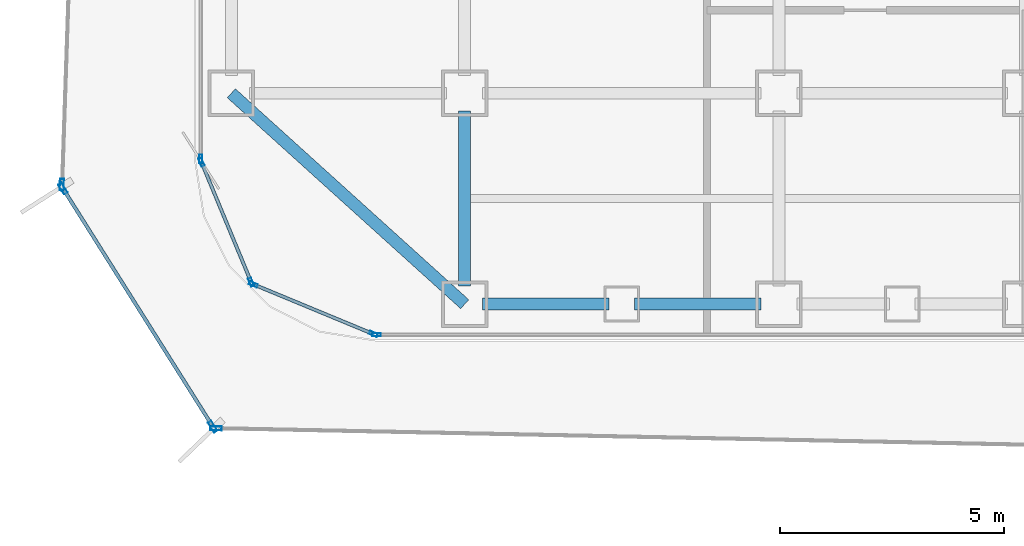
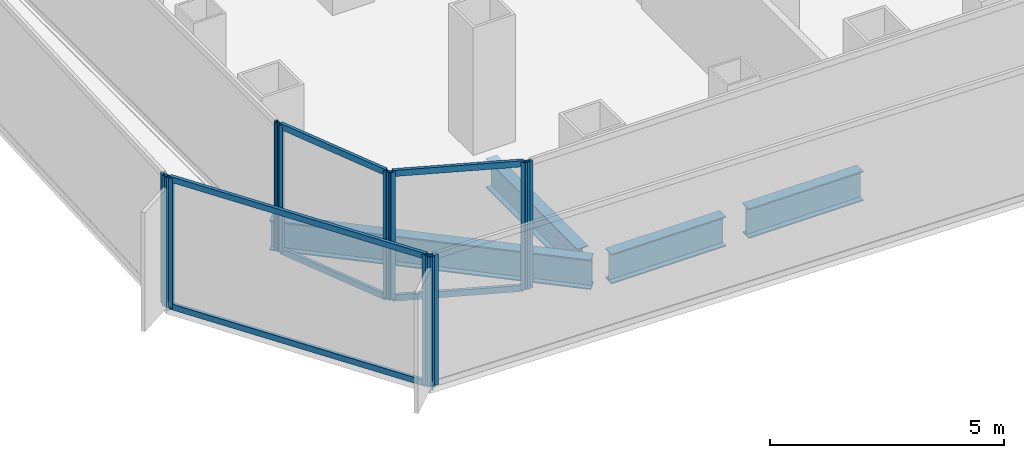
# One storey, part 2 of 21: 16 members, 4 beams, 7 elements without a shape of their own.
"""IFC4 building model written with IfcOpenShell, lengths in metres."""

from ifc_helpers import new_model, si_unit, direction, frame, origin, origin_2d, place, context, subcontext, project, spatial, hollow_rectangle, i_section, extrude, source, transform, mapped, material, layer, layer_set, material_profile, profile_set, type_object, element, aggregate, save


model = new_model("IFC4")

# Units and contexts
model_context = context("Model", 3, precision=1e-05, world=origin(), true_north=direction((0.0, 1.0)))
body_context = subcontext(model_context, "Body", "Model", "MODEL_VIEW")
ifc_project = project(units=[si_unit("LENGTHUNIT", "METRE"), si_unit("AREAUNIT", "SQUARE_METRE"), si_unit("VOLUMEUNIT", "CUBIC_METRE"), si_unit("PLANEANGLEUNIT", "RADIAN"), si_unit("MASSUNIT", "GRAM", prefix="KILO")], contexts=[model_context])

# Site, building, storey
site_placement = place(None, origin())
site = spatial("IfcSite", under=ifc_project, at=site_placement, CompositionType="ELEMENT")
building_placement = place(site_placement, origin())
building = spatial("IfcBuilding", under=site, at=building_placement, Name="Kolveth Station Tower", CompositionType="ELEMENT")
storey_placement = place(building_placement, frame((0.0, 0.0, 29.699951171875)))
storey = spatial("IfcBuildingStorey", under=building, at=storey_placement, Name="L07", CompositionType="ELEMENT", Elevation=29.699951171875)

# Beams
ifc_material_1 = material(Name="Steel S355", Category="steel")
ifc_material_profile_1 = material_profile(ifc_material_1, i_section(OverallWidth=0.26904296875, OverallDepth=0.77490234375, WebThickness=0.01708984375, FlangeThickness=0.0283203125, at=origin_2d()), Name="W760x220")
ifc_profile_set_1 = profile_set([ifc_material_profile_1], Name="Steel S355")
beam_type_1 = type_object("IfcBeamType", Name="Beam_SP1", PredefinedType="SPANDREL", material=ifc_profile_set_1)
shared_shape_1 = source(origin(), body_context, "Body", "SweptSolid", [
    extrude(i_section(OverallWidth=0.26904296875, OverallDepth=0.77490234375, WebThickness=0.01708984375, FlangeThickness=0.0283203125, at=origin_2d()), origin(), (0.0, 0.0, 1.0), 7.00927734375),
])
beam_1_placement = place(storey_placement, frame((0.800048828125, 5.5, -0.66748046875), z_axis=(0.741874009795, -0.670539300557, 0.0), x_axis=(0.670539300557, 0.741874009795, 0.0)))
element("IfcBeam", 1, at=beam_1_placement, inside=storey, type_object=beam_type_1, Name="L07 Corner Edge Girder BM-L07-CNR-SW", PredefinedType="SPANDREL", context=body_context, shape_type="MappedRepresentation", body=[
    mapped(shared_shape_1, transform((0.0, 0.0, 0.0), x_axis=(1.0, 0.0, 0.0), y_axis=(0.0, 1.0, 0.0), z_axis=(0.0, 0.0, 1.0), scale=1.0)),
])
shared_shape_2 = source(origin(), body_context, "Body", "SweptSolid", [
    extrude(i_section(OverallWidth=0.26904296875, OverallDepth=0.77490234375, WebThickness=0.01708984375, FlangeThickness=0.0283203125, at=origin_2d()), origin(), (0.0, 0.0, 1.0), 2.820068359375),
])
for number, where, z_axis, x_axis, name in (
    (2, (6.39990234375, 0.800048828125, -0.66748046875), (1.0, 0.0, 0.0), (0.0, 1.0, 0.0), "L07 Perimeter Spandrel BM-L07-PS-1"),
    (3, (9.780029296875, 0.800048828125, -0.66748046875), (1.0, 0.0, 0.0), (0.0, 1.0, 0.0), "L07 Perimeter Spandrel BM-L07-PS-2"),
):
    element("IfcBeam", number, at=place(storey_placement, frame(where, z_axis=z_axis, x_axis=x_axis)), inside=storey, type_object=beam_type_1, Name=name, PredefinedType="SPANDREL", context=body_context, shape_type="MappedRepresentation", body=[
        mapped(shared_shape_2, transform((0.0, 0.0, 0.0), x_axis=(1.0, 0.0, 0.0), y_axis=(0.0, 1.0, 0.0), z_axis=(0.0, 0.0, 1.0), scale=1.0)),
    ])
ifc_material_profile_2 = material_profile(ifc_material_1, i_section(OverallWidth=0.26708984375, OverallDepth=0.76611328125, WebThickness=0.014892578125, FlangeThickness=0.023681640625, at=origin_2d()), Name="W760x185")
ifc_profile_set_2 = profile_set([ifc_material_profile_2], Name="Steel S355")
beam_type_2 = type_object("IfcBeamType", Name="Beam_B3", PredefinedType="BEAM", material=ifc_profile_set_2)
shared_shape_3 = source(origin(), body_context, "Body", "SweptSolid", [
    extrude(i_section(OverallWidth=0.26708984375, OverallDepth=0.76611328125, WebThickness=0.014892578125, FlangeThickness=0.023681640625, at=origin_2d()), origin(), (0.0, 0.0, 1.0), 3.900146484375),
])
beam_2_placement = place(storey_placement, frame((6.0, 1.199951171875, -0.662841796875), z_axis=(0.0, 1.0, 0.0), x_axis=(-1.0, 0.0, 0.0)))
element("IfcBeam", 4, at=beam_2_placement, inside=storey, type_object=beam_type_2, Name="L07 Primary Girder BM-L07-GX60-1", PredefinedType="BEAM", context=body_context, shape_type="MappedRepresentation", body=[
    mapped(shared_shape_3, transform((0.0, 0.0, 0.0), x_axis=(1.0, 0.0, 0.0), y_axis=(0.0, 1.0, 0.0), z_axis=(0.0, 0.0, 1.0), scale=1.0)),
])

# Curtain wall, member
ifc_material_2 = material(Name="Aluminium 6063-T6 and low-E dark glass", Category="aluminium")
ifc_layer_1 = layer(ifc_material_2, 0.179931640625)
ifc_layer_set_1 = layer_set([ifc_layer_1], Name="Aluminium 6063-T6 and low-E dark glass")
curtain_wall_type_1 = type_object("IfcCurtainWallType", Name="CurtainWall_CW-Z1", PredefinedType="NOTDEFINED", material=ifc_layer_set_1)
curtain_wall_1_placement = place(storey_placement, origin())
curtain_wall_1 = element("IfcCurtainWall", 5, at=curtain_wall_1_placement, inside=storey, type_object=curtain_wall_type_1, Name="L07 Inner Thermal Curtain Wall 9", PredefinedType="NOTDEFINED")
ifc_material_3 = material(Name="Black anodized aluminium 6063-T6", Category="aluminium")
ifc_material_profile_3 = material_profile(ifc_material_3, hollow_rectangle(XDim=0.074951171875, YDim=0.18994140625, WallThickness=0.0048828125, at=origin_2d()), Name="ALU-75x190x5")
ifc_profile_set_3 = profile_set([ifc_material_profile_3], Name="Black anodized aluminium 6063-T6")
member_type_1 = type_object("IfcMemberType", Name="Mullion_ML1", PredefinedType="MULLION", material=ifc_profile_set_3)
shared_shape_4 = source(origin(), body_context, "Body", "SweptSolid", [
    extrude(hollow_rectangle(XDim=0.074951171875, YDim=0.18994140625, WallThickness=0.0048828125, at=origin_2d()), origin(), (0.0, 0.0, 1.0), 3.320068359375),
])
member_1_placement = place(storey_placement, frame((0.1201171875, 4.03759765625, 0.0), z_axis=(0.0, 0.0, 1.0), x_axis=(1.0, 0.0, 0.0)))
member_1 = element("IfcMember", 6, at=member_1_placement, type_object=member_type_1, Name="CW-Z1 mullion 2", PredefinedType="MULLION", context=body_context, shape_type="MappedRepresentation", body=[
    mapped(shared_shape_4, transform((0.0, 0.0, 0.0), x_axis=(1.0, 0.0, 0.0), y_axis=(0.0, 1.0, 0.0), z_axis=(0.0, 0.0, 1.0), scale=1.0)),
])
aggregate(curtain_wall_1, [member_1])

# Curtain wall, members
curtain_wall_2_placement = place(storey_placement, origin())
curtain_wall_2 = element("IfcCurtainWall", 7, at=curtain_wall_2_placement, inside=storey, type_object=curtain_wall_type_1, Name="L07 Inner Thermal Curtain Wall 10", PredefinedType="NOTDEFINED")
member_2_placement = place(storey_placement, frame((0.13427734375, 3.96533203125, 0.0), z_axis=(0.0, 0.0, 1.0), x_axis=(0.923883857728, 0.382672990201, 0.0)))
member_2 = element("IfcMember", 8, at=member_2_placement, type_object=member_type_1, Name="CW-Z1 mullion 1", PredefinedType="MULLION", context=body_context, shape_type="MappedRepresentation", body=[
    mapped(shared_shape_4, transform((0.0, 0.0, 0.0), x_axis=(1.0, 0.0, 0.0), y_axis=(0.0, 1.0, 0.0), z_axis=(0.0, 0.0, 1.0), scale=1.0)),
])
member_3_placement = place(storey_placement, frame((1.241943359375, 1.291015625, 0.0), z_axis=(0.0, 0.0, 1.0), x_axis=(0.923883857728, 0.382672990201, 0.0)))
member_3 = element("IfcMember", 9, at=member_3_placement, type_object=member_type_1, Name="CW-Z1 mullion 2", PredefinedType="MULLION", context=body_context, shape_type="MappedRepresentation", body=[
    mapped(shared_shape_4, transform((0.0, 0.0, 0.0), x_axis=(1.0, 0.0, 0.0), y_axis=(0.0, 1.0, 0.0), z_axis=(0.0, 0.0, 1.0), scale=1.0)),
])

curtain_wall_3_placement = place(storey_placement, origin())
curtain_wall_3 = element("IfcCurtainWall", 10, at=curtain_wall_3_placement, inside=storey, type_object=curtain_wall_type_1, Name="L07 Inner Thermal Curtain Wall 11", PredefinedType="NOTDEFINED")
member_4_placement = place(storey_placement, frame((1.291015625, 1.241943359375, 0.0), z_axis=(0.0, 0.0, 1.0), x_axis=(0.382672990201, 0.923883857728, 0.0)))
member_4 = element("IfcMember", 11, at=member_4_placement, type_object=member_type_1, Name="CW-Z1 mullion 1", PredefinedType="MULLION", context=body_context, shape_type="MappedRepresentation", body=[
    mapped(shared_shape_4, transform((0.0, 0.0, 0.0), x_axis=(1.0, 0.0, 0.0), y_axis=(0.0, 1.0, 0.0), z_axis=(0.0, 0.0, 1.0), scale=1.0)),
])
member_5_placement = place(storey_placement, frame((3.96533203125, 0.13427734375, 0.0), z_axis=(0.0, 0.0, 1.0), x_axis=(0.382672990201, 0.923883857728, 0.0)))
member_5 = element("IfcMember", 12, at=member_5_placement, type_object=member_type_1, Name="CW-Z1 mullion 2", PredefinedType="MULLION", context=body_context, shape_type="MappedRepresentation", body=[
    mapped(shared_shape_4, transform((0.0, 0.0, 0.0), x_axis=(1.0, 0.0, 0.0), y_axis=(0.0, 1.0, 0.0), z_axis=(0.0, 0.0, 1.0), scale=1.0)),
])

# Curtain wall, member
curtain_wall_4_placement = place(storey_placement, origin())
curtain_wall_4 = element("IfcCurtainWall", 13, at=curtain_wall_4_placement, inside=storey, type_object=curtain_wall_type_1, Name="L07 Inner Thermal Curtain Wall 12", PredefinedType="NOTDEFINED")
member_6_placement = place(storey_placement, frame((4.03759765625, 0.1201171875, 0.0), z_axis=(0.0, 0.0, 1.0), x_axis=(0.0, 1.0, 0.0)))
member_6 = element("IfcMember", 14, at=member_6_placement, type_object=member_type_1, Name="CW-Z1 mullion 1", PredefinedType="MULLION", context=body_context, shape_type="MappedRepresentation", body=[
    mapped(shared_shape_4, transform((0.0, 0.0, 0.0), x_axis=(1.0, 0.0, 0.0), y_axis=(0.0, 1.0, 0.0), z_axis=(0.0, 0.0, 1.0), scale=1.0)),
])
aggregate(curtain_wall_4, [member_6])

# Member
ifc_material_profile_4 = material_profile(ifc_material_3, hollow_rectangle(XDim=0.074951171875, YDim=0.159912109375, WallThickness=0.0048828125, at=origin_2d()), Name="ALU-75x160x5")
ifc_profile_set_4 = profile_set([ifc_material_profile_4], Name="Black anodized aluminium 6063-T6")
member_type_2 = type_object("IfcMemberType", Name="Transom_TR1", PredefinedType="USERDEFINED", material=ifc_profile_set_4)
shared_shape_5 = source(origin(), body_context, "Body", "SweptSolid", [
    extrude(hollow_rectangle(XDim=0.074951171875, YDim=0.159912109375, WallThickness=0.0048828125, at=origin_2d()), origin(), (0.0, 0.0, 1.0), 2.819580078125),
])
member_7_placement = place(storey_placement, frame((0.148681640625, 3.9306640625, 0.03759765625), z_axis=(0.382708655389, -0.923869084389, 0.0), x_axis=(0.923869084389, 0.382708655389, 0.0)))
member_7 = element("IfcMember", 15, at=member_7_placement, type_object=member_type_2, Name="CW-Z1 transom 1.1", ObjectType="TRANSOM", PredefinedType="USERDEFINED", context=body_context, shape_type="MappedRepresentation", body=[
    mapped(shared_shape_5, transform((0.0, 0.0, 0.0), x_axis=(1.0, 0.0, 0.0), y_axis=(0.0, 1.0, 0.0), z_axis=(0.0, 0.0, 1.0), scale=1.0)),
])

member_8_placement = place(storey_placement, frame((0.148681640625, 3.9306640625, 3.282470703125), z_axis=(0.382708655389, -0.923869084389, 0.0), x_axis=(0.923869084389, 0.382708655389, 0.0)))
member_8 = element("IfcMember", 16, at=member_8_placement, type_object=member_type_2, Name="CW-Z1 transom 1.2", ObjectType="TRANSOM", PredefinedType="USERDEFINED", context=body_context, shape_type="MappedRepresentation", body=[
    mapped(shared_shape_5, transform((0.0, 0.0, 0.0), x_axis=(1.0, 0.0, 0.0), y_axis=(0.0, 1.0, 0.0), z_axis=(0.0, 0.0, 1.0), scale=1.0)),
])

aggregate(curtain_wall_2, [member_2, member_3, member_7, member_8])

member_9_placement = place(storey_placement, frame((1.32568359375, 1.227783203125, 0.03759765625), z_axis=(0.923869084389, -0.382708655389, 0.0), x_axis=(0.382708655389, 0.923869084389, 0.0)))
member_9 = element("IfcMember", 17, at=member_9_placement, type_object=member_type_2, Name="CW-Z1 transom 1.1", ObjectType="TRANSOM", PredefinedType="USERDEFINED", context=body_context, shape_type="MappedRepresentation", body=[
    mapped(shared_shape_5, transform((0.0, 0.0, 0.0), x_axis=(1.0, 0.0, 0.0), y_axis=(0.0, 1.0, 0.0), z_axis=(0.0, 0.0, 1.0), scale=1.0)),
])

member_10_placement = place(storey_placement, frame((1.32568359375, 1.227783203125, 3.282470703125), z_axis=(0.923869084389, -0.382708655389, 0.0), x_axis=(0.382708655389, 0.923869084389, 0.0)))
member_10 = element("IfcMember", 18, at=member_10_placement, type_object=member_type_2, Name="CW-Z1 transom 1.2", ObjectType="TRANSOM", PredefinedType="USERDEFINED", context=body_context, shape_type="MappedRepresentation", body=[
    mapped(shared_shape_5, transform((0.0, 0.0, 0.0), x_axis=(1.0, 0.0, 0.0), y_axis=(0.0, 1.0, 0.0), z_axis=(0.0, 0.0, 1.0), scale=1.0)),
])

aggregate(curtain_wall_3, [member_4, member_5, member_9, member_10])

# Curtain wall, member
ifc_material_4 = material(Name="Black anodized aluminium 6063-T6 and dark solar glass", Category="aluminium")
ifc_layer_2 = layer(ifc_material_4, 0.159912109375)
ifc_layer_set_2 = layer_set([ifc_layer_2], Name="Black anodized aluminium 6063-T6 and dark solar glass")
curtain_wall_type_2 = type_object("IfcCurtainWallType", Name="OUTER SKIN CW-OS", PredefinedType="NOTDEFINED", material=ifc_layer_set_2)
curtain_wall_5_placement = place(storey_placement, origin())
curtain_wall_5 = element("IfcCurtainWall", 19, at=curtain_wall_5_placement, inside=storey, type_object=curtain_wall_type_2, Name="L07 Outer Ventilated Skin Curtain Wall 6", PredefinedType="NOTDEFINED")
ifc_material_profile_5 = material_profile(ifc_material_3, hollow_rectangle(XDim=0.090087890625, YDim=0.260009765625, WallThickness=0.0048828125, at=origin_2d()), Name="ALU-90x260x5")
ifc_profile_set_5 = profile_set([ifc_material_profile_5], Name="Black anodized aluminium 6063-T6")
member_type_3 = type_object("IfcMemberType", Name="FIN MULLION ML-OS", PredefinedType="MULLION", material=ifc_profile_set_5)
shared_shape_6 = source(origin(), body_context, "Body", "SweptSolid", [
    extrude(hollow_rectangle(XDim=0.090087890625, YDim=0.260009765625, WallThickness=0.0048828125, at=origin_2d()), origin(), (0.0, 0.0, 1.0), 3.39013671875),
])
member_11_placement = place(storey_placement, frame((-2.975830078125, 3.461669921875, 0.0), z_axis=(0.0, 0.0, 1.0), x_axis=(0.999431087392, -0.033726866954, 0.0)))
member_11 = element("IfcMember", 20, at=member_11_placement, type_object=member_type_3, Name="CW-OS mullion 2", PredefinedType="MULLION", context=body_context, shape_type="MappedRepresentation", body=[
    mapped(shared_shape_6, transform((0.0, 0.0, 0.0), x_axis=(1.0, 0.0, 0.0), y_axis=(0.0, 1.0, 0.0), z_axis=(0.0, 0.0, 1.0), scale=1.0)),
])
aggregate(curtain_wall_5, [member_11])

# Curtain wall, members
curtain_wall_6_placement = place(storey_placement, origin())
curtain_wall_6 = element("IfcCurtainWall", 21, at=curtain_wall_6_placement, inside=storey, type_object=curtain_wall_type_2, Name="L07 Outer Ventilated Skin Curtain Wall 7", PredefinedType="NOTDEFINED")
member_12_placement = place(storey_placement, frame((-2.953369140625, 3.37841796875, 0.0), z_axis=(0.0, 0.0, 1.0), x_axis=(0.846289281456, 0.532723616984, 0.0)))
member_12 = element("IfcMember", 22, at=member_12_placement, type_object=member_type_3, Name="CW-OS mullion 1", PredefinedType="MULLION", context=body_context, shape_type="MappedRepresentation", body=[
    mapped(shared_shape_6, transform((0.0, 0.0, 0.0), x_axis=(1.0, 0.0, 0.0), y_axis=(0.0, 1.0, 0.0), z_axis=(0.0, 0.0, 1.0), scale=1.0)),
])
member_13_placement = place(storey_placement, frame((0.38720703125, -1.92822265625, 0.0), z_axis=(0.0, 0.0, 1.0), x_axis=(0.846289281456, 0.532723616984, 0.0)))
member_13 = element("IfcMember", 23, at=member_13_placement, type_object=member_type_3, Name="CW-OS mullion 2", PredefinedType="MULLION", context=body_context, shape_type="MappedRepresentation", body=[
    mapped(shared_shape_6, transform((0.0, 0.0, 0.0), x_axis=(1.0, 0.0, 0.0), y_axis=(0.0, 1.0, 0.0), z_axis=(0.0, 0.0, 1.0), scale=1.0)),
])

# Curtain wall, member
curtain_wall_7_placement = place(storey_placement, origin())
curtain_wall_7 = element("IfcCurtainWall", 24, at=curtain_wall_7_placement, inside=storey, type_object=curtain_wall_type_2, Name="L07 Outer Ventilated Skin Curtain Wall 8", PredefinedType="NOTDEFINED")
member_14_placement = place(storey_placement, frame((0.4560546875, -1.96728515625, 0.0), z_axis=(0.0, 0.0, 1.0), x_axis=(0.020333923002, 0.999793244414, 0.0)))
member_14 = element("IfcMember", 25, at=member_14_placement, type_object=member_type_3, Name="CW-OS mullion 1", PredefinedType="MULLION", context=body_context, shape_type="MappedRepresentation", body=[
    mapped(shared_shape_6, transform((0.0, 0.0, 0.0), x_axis=(1.0, 0.0, 0.0), y_axis=(0.0, 1.0, 0.0), z_axis=(0.0, 0.0, 1.0), scale=1.0)),
])
aggregate(curtain_wall_7, [member_14])

# Member
ifc_material_profile_6 = material_profile(ifc_material_3, hollow_rectangle(XDim=0.080078125, YDim=0.14990234375, WallThickness=0.0048828125, at=origin_2d()), Name="ALU-80x150x5")
ifc_profile_set_6 = profile_set([ifc_material_profile_6], Name="Black anodized aluminium 6063-T6")
member_type_4 = type_object("IfcMemberType", Name="Transom_TR-OS", PredefinedType="USERDEFINED", material=ifc_profile_set_6)
shared_shape_7 = source(origin(), body_context, "Body", "SweptSolid", [
    extrude(hollow_rectangle(XDim=0.080078125, YDim=0.14990234375, WallThickness=0.0048828125, at=origin_2d()), origin(), (0.0, 0.0, 1.0), 6.180419921875),
])
member_15_placement = place(storey_placement, frame((-2.929443359375, 3.34033203125, 0.0400390625), z_axis=(0.532723164991, -0.846289565977, 0.0), x_axis=(0.846289565977, 0.532723164991, 0.0)))
member_15 = element("IfcMember", 26, at=member_15_placement, type_object=member_type_4, Name="CW-OS transom 1.1", ObjectType="TRANSOM", PredefinedType="USERDEFINED", context=body_context, shape_type="MappedRepresentation", body=[
    mapped(shared_shape_7, transform((0.0, 0.0, 0.0), x_axis=(1.0, 0.0, 0.0), y_axis=(0.0, 1.0, 0.0), z_axis=(0.0, 0.0, 1.0), scale=1.0)),
])

member_16_placement = place(storey_placement, frame((-2.929443359375, 3.34033203125, 3.35009765625), z_axis=(0.532723164991, -0.846289565977, 0.0), x_axis=(0.846289565977, 0.532723164991, 0.0)))
member_16 = element("IfcMember", 27, at=member_16_placement, type_object=member_type_4, Name="CW-OS transom 1.2", ObjectType="TRANSOM", PredefinedType="USERDEFINED", context=body_context, shape_type="MappedRepresentation", body=[
    mapped(shared_shape_7, transform((0.0, 0.0, 0.0), x_axis=(1.0, 0.0, 0.0), y_axis=(0.0, 1.0, 0.0), z_axis=(0.0, 0.0, 1.0), scale=1.0)),
])

aggregate(curtain_wall_6, [member_12, member_13, member_15, member_16])

save(model, "model.ifc")
